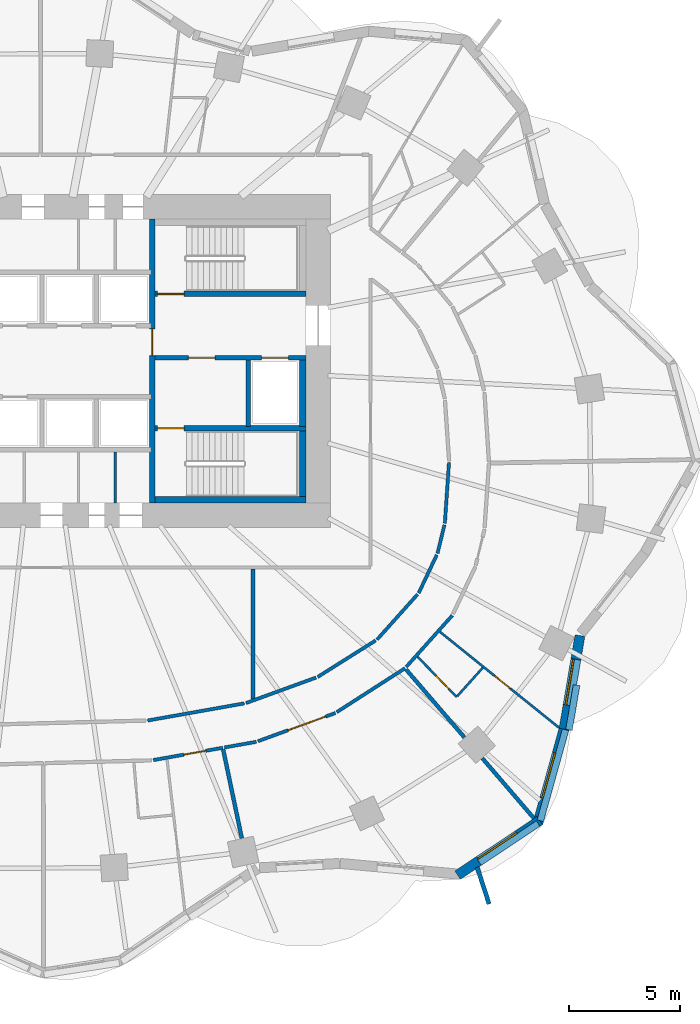
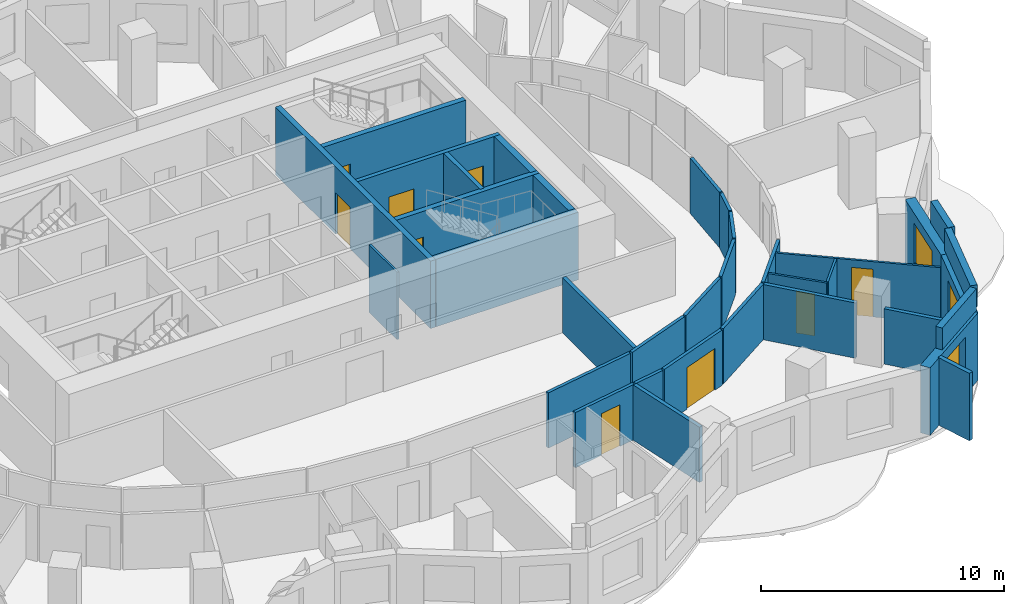
# One storey, part 6 of 11: 35 walls, 9 doors, 3 windows, 12 openings.
"""IFC4 building model written with IfcOpenShell, lengths in metres."""

from ifc_helpers import new_model, si_unit, direction, frame, frame_2d, origin, place, context, subcontext, project, spatial, rectangle, extrude, material, layer, layer_set, type_object, element, fill, save


model = new_model("IFC4")

# Units and contexts
model_context = context("Model", 3, precision=1e-05, world=origin(), true_north=direction((0.0, 1.0)))
body_context = subcontext(model_context, "Body", "Model", "MODEL_VIEW")
ifc_project = project(units=[si_unit("LENGTHUNIT", "METRE"), si_unit("AREAUNIT", "SQUARE_METRE"), si_unit("VOLUMEUNIT", "CUBIC_METRE"), si_unit("PLANEANGLEUNIT", "RADIAN"), si_unit("MASSUNIT", "GRAM", prefix="KILO")], contexts=[model_context])

# Site, building, storey
site_placement = place(None, origin())
site = spatial("IfcSite", under=ifc_project, at=site_placement, CompositionType="ELEMENT")
building_placement = place(site_placement, origin())
building = spatial("IfcBuilding", under=site, at=building_placement, Name="Rubra Terraces Tower", CompositionType="ELEMENT")
storey_placement = place(building_placement, frame((0.0, 0.0, 99.60009765625)))
storey = spatial("IfcBuildingStorey", under=building, at=storey_placement, Name="L23", CompositionType="ELEMENT", Elevation=99.60009765625)

# Walls
ifc_material_1 = material(Name="Twin plasterboard on staggered steel stud, acoustic mineral wool", Category="steel")
ifc_layer_1 = layer(ifc_material_1, 0.175048828125)
ifc_layer_set_1 = layer_set([ifc_layer_1], Name="Twin plasterboard on staggered steel stud, acoustic mineral wool")
wall_type_1 = type_object("IfcWallType", Name="ACOUSTIC PARTY WALL 175", PredefinedType="PARTITIONING", material=ifc_layer_set_1)
wall_1_placement = place(storey_placement, frame((9.00341796875, -17.003662109375, 0.0), z_axis=(0.0, 0.0, 1.0), x_axis=(-0.205490383359, 0.978659134912, 0.0)))
element("IfcWall", 1, at=wall_1_placement, inside=storey, type_object=wall_type_1, Name="PARTITION", PredefinedType="PARTITIONING", context=body_context, shape_type="SweptSolid", body=[
    extrude(rectangle(XDim=4.093017578125, YDim=0.175048828125, at=frame_2d((2.04638671875, 0.0))), origin(), (0.0, 0.0, 1.0), 2.783935546875),
])
wall_2_placement = place(storey_placement, frame((22.167236328125, -16.10400390625, 0.0), z_axis=(0.0, 0.0, 1.0), x_axis=(-0.651585854712, 0.758574896724, 0.0)))
element("IfcWall", 2, at=wall_2_placement, inside=storey, type_object=wall_type_1, Name="PARTITION", PredefinedType="PARTITIONING", context=body_context, shape_type="SweptSolid", body=[
    extrude(rectangle(XDim=3.566650390625, YDim=0.175048828125, at=frame_2d((1.783203125, 0.0))), origin(), (0.0, 0.0, 1.0), 2.783935546875),
])
wall_3_placement = place(storey_placement, frame((19.03515625, -12.457763671875, 0.0), z_axis=(0.0, 0.0, 1.0), x_axis=(-0.651603524635, 0.7585597186, 0.0)))
element("IfcWall", 3, at=wall_3_placement, inside=storey, type_object=wall_type_1, Name="PARTITION", PredefinedType="PARTITIONING", context=body_context, shape_type="SweptSolid", body=[
    extrude(rectangle(XDim=4.033447265625, YDim=0.175048828125, at=frame_2d((2.0166015625, 0.0))), origin(), (0.0, 0.0, 1.0), 2.783935546875),
])
wall_4_placement = place(storey_placement, frame((9.5, -10.723388671875, 0.0), z_axis=(0.0, 0.0, 1.0), x_axis=(0.0, 1.0, 0.0)))
element("IfcWall", 4, at=wall_4_placement, inside=storey, type_object=wall_type_1, Name="PARTITION", PredefinedType="PARTITIONING", context=body_context, shape_type="SweptSolid", body=[
    extrude(rectangle(XDim=5.848388671875, YDim=0.175048828125, at=frame_2d((2.92431640625, 0.0))), origin(), (0.0, 0.0, 1.0), 2.783935546875),
])

# Wall, opening, window
ifc_material_2 = material(Name="Brick masonry red-brown", Category="masonry")
ifc_layer_2 = layer(ifc_material_2, 0.449951171875)
ifc_layer_set_2 = layer_set([ifc_layer_2], Name="Brick masonry red-brown")
wall_type_2 = type_object("IfcWallType", Name="Brick facade wall 450", PredefinedType="SOLIDWALL", material=ifc_layer_set_2)
wall_5_placement = place(storey_placement, frame((18.7255859375, -18.66259765625, 0.0), z_axis=(0.0, 0.0, 1.0), x_axis=(0.83333921474, 0.552761931736, 0.0)))
wall_5 = element("IfcWall", 5, at=wall_5_placement, inside=storey, type_object=wall_type_2, Name="Facade wall L23 bay 36", PredefinedType="SOLIDWALL", context=body_context, shape_type="SweptSolid", body=[
    extrude(rectangle(XDim=4.45068359375, YDim=0.449951171875, at=frame_2d((2.225341796875, 0.0))), origin(), (0.0, 0.0, 1.0), 3.39990234375),
])
opening_1_placement = place(wall_5_placement, frame((1.17529296875, 0.0, 0.89990234375)))
opening_1 = element("IfcOpeningElement", 6, at=opening_1_placement, cuts=wall_5, Name="Opening W1", PredefinedType="OPENING", context=body_context, shape_type="SweptSolid", body=[
    extrude(rectangle(XDim=2.10009765625, YDim=2.0, at=frame_2d((1.050048828125, 1.0))), frame((0.0, 0.23486328125, 0.0), z_axis=(0.0, -1.0, 0.0), x_axis=(1.0, 0.0, 0.0)), (0.0, 0.0, 1.0), 0.469970703125),
])
ifc_material_3 = material(Name="Clear glass in aluminium frame", Category="aluminium")
window_type = type_object("IfcWindowType", Name="Fixed deep-set window 2100 x 2000", PartitioningType="SINGLE_PANEL", PredefinedType="WINDOW", material=ifc_material_3)
window_1_placement = place(opening_1_placement, origin())
window_1 = element("IfcWindow", 7, at=window_1_placement, inside=storey, type_object=window_type, Name="Window L23 bay 36", OverallHeight=2.0, OverallWidth=2.10009765625, PartitioningType="SINGLE_PANEL", PredefinedType="WINDOW", context=body_context, shape_type="SweptSolid", body=[
    extrude(rectangle(XDim=2.10009765625, YDim=2.0, at=frame_2d((1.050048828125, 1.0))), frame((0.0, 0.135009765625, 0.0), z_axis=(0.0, -1.0, 0.0), x_axis=(1.0, 0.0, 0.0)), (0.0, 0.0, 1.0), 0.06005859375),
])
fill(opening_1, window_1)

wall_6_placement = place(storey_placement, frame((22.343505859375, -16.32568359375, 0.0), z_axis=(0.0, 0.0, 1.0), x_axis=(0.267925456304, 0.963439645159, 0.0)))
wall_6 = element("IfcWall", 8, at=wall_6_placement, inside=storey, type_object=wall_type_2, Name="Facade wall L23 bay 37", PredefinedType="SOLIDWALL", context=body_context, shape_type="SweptSolid", body=[
    extrude(rectangle(XDim=4.4267578125, YDim=0.449951171875, at=frame_2d((2.21337890625, 0.0))), origin(), (0.0, 0.0, 1.0), 3.39990234375),
])
opening_2_placement = place(wall_6_placement, frame((1.16357421875, 0.0, 0.89990234375)))
opening_2 = element("IfcOpeningElement", 9, at=opening_2_placement, cuts=wall_6, Name="Opening W1", PredefinedType="OPENING", context=body_context, shape_type="SweptSolid", body=[
    extrude(rectangle(XDim=2.10009765625, YDim=2.0, at=frame_2d((1.050048828125, 1.0))), frame((0.0, 0.23486328125, 0.0), z_axis=(0.0, -1.0, 0.0), x_axis=(1.0, 0.0, 0.0)), (0.0, 0.0, 1.0), 0.469970703125),
])
window_2_placement = place(opening_2_placement, origin())
window_2 = element("IfcWindow", 10, at=window_2_placement, inside=storey, type_object=window_type, Name="Window L23 bay 37", OverallHeight=2.0, OverallWidth=2.10009765625, PartitioningType="SINGLE_PANEL", PredefinedType="WINDOW", context=body_context, shape_type="SweptSolid", body=[
    extrude(rectangle(XDim=2.10009765625, YDim=2.0, at=frame_2d((1.050048828125, 1.0))), frame((0.0, 0.135009765625, 0.0), z_axis=(0.0, -1.0, 0.0), x_axis=(1.0, 0.0, 0.0)), (0.0, 0.0, 1.0), 0.06005859375),
])
fill(opening_2, window_2)

wall_7_placement = place(storey_placement, frame((23.524169921875, -12.0830078125, 0.0), z_axis=(0.0, 0.0, 1.0), x_axis=(0.167445072349, 0.985881406532, 0.0)))
wall_7 = element("IfcWall", 11, at=wall_7_placement, inside=storey, type_object=wall_type_2, Name="Facade wall L23 bay 38", PredefinedType="SOLIDWALL", context=body_context, shape_type="SweptSolid", body=[
    extrude(rectangle(XDim=4.27490234375, YDim=0.449951171875, at=frame_2d((2.137451171875, 0.0))), origin(), (0.0, 0.0, 1.0), 3.39990234375),
])
opening_3_placement = place(wall_7_placement, frame((1.08740234375, 0.0, 0.89990234375)))
opening_3 = element("IfcOpeningElement", 12, at=opening_3_placement, cuts=wall_7, Name="Opening W1", PredefinedType="OPENING", context=body_context, shape_type="SweptSolid", body=[
    extrude(rectangle(XDim=2.10009765625, YDim=2.0, at=frame_2d((1.050048828125, 1.0))), frame((0.0, 0.23486328125, 0.0), z_axis=(0.0, -1.0, 0.0), x_axis=(1.0, 0.0, 0.0)), (0.0, 0.0, 1.0), 0.469970703125),
])
window_3_placement = place(opening_3_placement, origin())
window_3 = element("IfcWindow", 13, at=window_3_placement, inside=storey, type_object=window_type, Name="Window L23 bay 38", OverallHeight=2.0, OverallWidth=2.10009765625, PartitioningType="SINGLE_PANEL", PredefinedType="WINDOW", context=body_context, shape_type="SweptSolid", body=[
    extrude(rectangle(XDim=2.10009765625, YDim=2.0, at=frame_2d((1.050048828125, 1.0))), frame((0.0, 0.135009765625, 0.0), z_axis=(0.0, -1.0, 0.0), x_axis=(1.0, 0.0, 0.0)), (0.0, 0.0, 1.0), 0.06005859375),
])
fill(opening_3, window_3)

# Walls
ifc_layer_3 = layer(ifc_material_2, 0.300048828125)
ifc_layer_set_3 = layer_set([ifc_layer_3], Name="Brick masonry red-brown")
wall_type_3 = type_object("IfcWallType", Name="Brick parapet 300", PredefinedType="PARAPET", material=ifc_layer_set_3)
wall_8_placement = place(storey_placement, frame((19.70751953125, -18.101318359375, 3.599853515625), z_axis=(0.0, 0.0, 1.0), x_axis=(0.833370664286, 0.552714515738, 0.0)))
element("IfcWall", 14, at=wall_8_placement, inside=storey, type_object=wall_type_3, Name="Parapet L23 bay 36", PredefinedType="PARAPET", context=body_context, shape_type="SweptSolid", body=[
    extrude(rectangle(XDim=3.180419921875, YDim=0.300048828125, at=frame_2d((1.59033203125, 0.0))), origin(), (0.0, 0.0, 1.0), 1.10009765625),
])
wall_9_placement = place(storey_placement, frame((22.452392578125, -16.213134765625, 3.599853515625), z_axis=(0.0, 0.0, 1.0), x_axis=(0.267993020858, 0.963420853403, 0.0)))
element("IfcWall", 15, at=wall_9_placement, inside=storey, type_object=wall_type_3, Name="Parapet L23 bay 37", PredefinedType="PARAPET", context=body_context, shape_type="SweptSolid", body=[
    extrude(rectangle(XDim=4.25537109375, YDim=0.300048828125, at=frame_2d((2.127685546875, 0.0))), origin(), (0.0, 0.0, 1.0), 1.10009765625),
])
wall_10_placement = place(storey_placement, frame((23.7451171875, -12.125, 3.599853515625), z_axis=(0.0, 0.0, 1.0), x_axis=(0.16743218322, 0.985883595574, 0.0)))
element("IfcWall", 16, at=wall_10_placement, inside=storey, type_object=wall_type_3, Name="Parapet L23 bay 38", PredefinedType="PARAPET", context=body_context, shape_type="SweptSolid", body=[
    extrude(rectangle(XDim=2.048583984375, YDim=0.300048828125, at=frame_2d((1.0244140625, 0.0))), origin(), (0.0, 0.0, 1.0), 1.10009765625),
])
ifc_layer_4 = layer(ifc_material_2, 0.199951171875)
ifc_layer_set_4 = layer_set([ifc_layer_4], Name="Brick masonry red-brown")
wall_type_4 = type_object("IfcWallType", Name="Brick wind fin 200", PredefinedType="SOLIDWALL", material=ifc_layer_set_4)
wall_11_placement = place(storey_placement, frame((19.60888671875, -18.304931640625, 0.0), z_axis=(0.0, 0.0, 1.0), x_axis=(0.308600224758, -0.951191832008, 0.0)))
element("IfcWall", 17, at=wall_11_placement, inside=storey, type_object=wall_type_4, Name="Wind fin L23 22", PredefinedType="SOLIDWALL", context=body_context, shape_type="SweptSolid", body=[
    extrude(rectangle(XDim=1.75, YDim=0.199951171875, at=frame_2d((0.875, 0.0))), origin(), (0.0, 0.0, 1.0), 3.39990234375),
])

# Wall, opening, door
ifc_material_4 = material(Name="Plasterboard on steel stud, mineral wool infill", Category="steel")
ifc_layer_5 = layer(ifc_material_4, 0.14990234375)
ifc_layer_set_5 = layer_set([ifc_layer_5], Name="Plasterboard on steel stud, mineral wool infill")
wall_type_5 = type_object("IfcWallType", Name="CORRIDOR PARTITION 150", PredefinedType="PARTITIONING", material=ifc_layer_set_5)
wall_12_placement = place(storey_placement, frame((5.0146484375, -13.480224609375, 0.0), z_axis=(0.0, 0.0, 1.0), x_axis=(0.984640294338, 0.174595219768, 0.0)))
wall_12 = element("IfcWall", 18, at=wall_12_placement, inside=storey, type_object=wall_type_5, Name="PARTITION", PredefinedType="PARTITIONING", context=body_context, shape_type="SweptSolid", body=[
    extrude(rectangle(XDim=3.18115234375, YDim=0.14990234375, at=frame_2d((1.590576171875, 0.0))), origin(), (0.0, 0.0, 1.0), 2.783935546875),
])
opening_4_placement = place(wall_12_placement, frame((1.39990234375, 0.0, 0.0)))
opening_4 = element("IfcOpeningElement", 19, at=opening_4_placement, cuts=wall_12, Name="Opening 23-115", PredefinedType="OPENING", context=body_context, shape_type="SweptSolid", body=[
    extrude(rectangle(XDim=1.0, YDim=2.10009765625, at=frame_2d((0.5, 1.050048828125))), frame((0.0, 0.0849609375, 0.0), z_axis=(0.0, -1.0, 0.0), x_axis=(1.0, 0.0, 0.0)), (0.0, 0.0, 1.0), 0.169921875),
])
ifc_material_5 = material(Name="Painted timber door leaf", Category="wood")
door_type_1 = type_object("IfcDoorType", Name="ROOM DOOR 1000 X 2100", OperationType="SINGLE_SWING_LEFT", PredefinedType="DOOR", material=ifc_material_5)
door_1_placement = place(opening_4_placement, origin())
door_1 = element("IfcDoor", 20, at=door_1_placement, inside=storey, type_object=door_type_1, Name="DOOR 23-115", OperationType="SINGLE_SWING_RIGHT", OverallHeight=2.10009765625, OverallWidth=1.0, PredefinedType="DOOR", context=body_context, shape_type="SweptSolid", body=[
    extrude(rectangle(XDim=1.0, YDim=2.10009765625, at=frame_2d((0.5, 1.050048828125))), frame((0.0, 0.02490234375, 0.0), z_axis=(0.0, -1.0, 0.0), x_axis=(1.0, 0.0, 0.0)), (0.0, 0.0, 1.0), 0.050048828125),
])
fill(opening_4, door_1)

# Wall
wall_13_placement = place(storey_placement, frame((8.220703125, -12.91162109375, 0.0), z_axis=(0.0, 0.0, 1.0), x_axis=(0.984645082055, 0.174568216995, 0.0)))
element("IfcWall", 21, at=wall_13_placement, inside=storey, type_object=wall_type_5, Name="PARTITION", PredefinedType="PARTITIONING", context=body_context, shape_type="SweptSolid", body=[
    extrude(rectangle(XDim=1.458740234375, YDim=0.14990234375, at=frame_2d((0.7294921875, 0.0))), origin(), (0.0, 0.0, 1.0), 2.783935546875),
])

# Wall, opening, door
wall_14_placement = place(storey_placement, frame((9.7275390625, -12.631103515625, 0.0), z_axis=(0.0, 0.0, 1.0), x_axis=(0.939626438181, 0.342201923826, 0.0)))
wall_14 = element("IfcWall", 22, at=wall_14_placement, inside=storey, type_object=wall_type_5, Name="PARTITION", PredefinedType="PARTITIONING", context=body_context, shape_type="SweptSolid", body=[
    extrude(rectangle(XDim=3.71630859375, YDim=0.14990234375, at=frame_2d((1.858154296875, 0.0))), origin(), (0.0, 0.0, 1.0), 2.783935546875),
])
opening_5_placement = place(wall_14_placement, frame((1.449951171875, 0.0, 0.0)))
opening_5 = element("IfcOpeningElement", 23, at=opening_5_placement, cuts=wall_14, Name="Opening 23-116", PredefinedType="OPENING", context=body_context, shape_type="SweptSolid", body=[
    extrude(rectangle(XDim=1.800048828125, YDim=2.10009765625, at=frame_2d((0.89990234375, 1.050048828125))), frame((0.0, 0.0849609375, 0.0), z_axis=(0.0, -1.0, 0.0), x_axis=(1.0, 0.0, 0.0)), (0.0, 0.0, 1.0), 0.169921875),
])
ifc_material_6 = material(Name="Painted timber door leaf, double", Category="wood")
door_type_2 = type_object("IfcDoorType", Name="ROOM DOUBLE DOOR 1800 X 2100", OperationType="DOUBLE_DOOR_SINGLE_SWING", PredefinedType="DOOR", material=ifc_material_6)
door_2_placement = place(opening_5_placement, origin())
door_2 = element("IfcDoor", 24, at=door_2_placement, inside=storey, type_object=door_type_2, Name="DOOR 23-116", OperationType="DOUBLE_DOOR_SINGLE_SWING", OverallHeight=2.10009765625, OverallWidth=1.800048828125, PredefinedType="DOOR", context=body_context, shape_type="SweptSolid", body=[
    extrude(rectangle(XDim=1.800048828125, YDim=2.10009765625, at=frame_2d((0.89990234375, 1.050048828125))), frame((0.0, 0.02490234375, 0.0), z_axis=(0.0, -1.0, 0.0), x_axis=(1.0, 0.0, 0.0)), (0.0, 0.0, 1.0), 0.050048828125),
])
fill(opening_5, door_2)

# Walls
wall_15_placement = place(storey_placement, frame((13.28271484375, -11.318603515625, 0.0), z_axis=(0.0, 0.0, 1.0), x_axis=(0.841150270113, 0.540801463653, 0.0)))
element("IfcWall", 25, at=wall_15_placement, inside=storey, type_object=wall_type_5, Name="PARTITION", PredefinedType="PARTITIONING", context=body_context, shape_type="SweptSolid", body=[
    extrude(rectangle(XDim=3.65625, YDim=0.14990234375, at=frame_2d((1.828125, 0.0))), origin(), (0.0, 0.0, 1.0), 2.783935546875),
])
wall_16_placement = place(storey_placement, frame((16.408203125, -9.285400390625, 0.0), z_axis=(0.0, 0.0, 1.0), x_axis=(0.666792573149, 0.745243359174, 0.0)))
element("IfcWall", 26, at=wall_16_placement, inside=storey, type_object=wall_type_5, Name="PARTITION", PredefinedType="PARTITIONING", context=body_context, shape_type="SweptSolid", body=[
    extrude(rectangle(XDim=3.121337890625, YDim=0.14990234375, at=frame_2d((1.560546875, 0.0))), origin(), (0.0, 0.0, 1.0), 2.783935546875),
])
wall_17_placement = place(storey_placement, frame((18.339599609375, -0.07470703125, 0.0), z_axis=(0.0, 0.0, 1.0), x_axis=(-0.068328193832, -0.997662897941, 0.0)))
element("IfcWall", 27, at=wall_17_placement, inside=storey, type_object=wall_type_5, Name="PARTITION", PredefinedType="PARTITIONING", context=body_context, shape_type="SweptSolid", body=[
    extrude(rectangle(XDim=2.740478515625, YDim=0.14990234375, at=frame_2d((1.3701171875, 0.0))), origin(), (0.0, 0.0, 1.0), 2.783935546875),
])
wall_18_placement = place(storey_placement, frame((18.134521484375, -2.8818359375, 0.0), z_axis=(0.0, 0.0, 1.0), x_axis=(-0.236653741324, -0.971594054489, 0.0)))
element("IfcWall", 28, at=wall_18_placement, inside=storey, type_object=wall_type_5, Name="PARTITION", PredefinedType="PARTITIONING", context=body_context, shape_type="SweptSolid", body=[
    extrude(rectangle(XDim=1.319580078125, YDim=0.14990234375, at=frame_2d((0.65966796875, 0.0))), origin(), (0.0, 0.0, 1.0), 2.783935546875),
])
wall_19_placement = place(storey_placement, frame((17.7900390625, -4.2314453125, 0.0), z_axis=(0.0, 0.0, 1.0), x_axis=(-0.428042272357, -0.90375871397, 0.0)))
element("IfcWall", 29, at=wall_19_placement, inside=storey, type_object=wall_type_5, Name="PARTITION", PredefinedType="PARTITIONING", context=body_context, shape_type="SweptSolid", body=[
    extrude(rectangle(XDim=1.905029296875, YDim=0.14990234375, at=frame_2d((0.95263671875, 0.0))), origin(), (0.0, 0.0, 1.0), 2.783935546875),
])
wall_20_placement = place(storey_placement, frame((16.924560546875, -6.009033203125, 0.0), z_axis=(0.0, 0.0, 1.0), x_axis=(-0.666893859891, -0.745152722359, 0.0)))
element("IfcWall", 30, at=wall_20_placement, inside=storey, type_object=wall_type_5, Name="PARTITION", PredefinedType="PARTITIONING", context=body_context, shape_type="SweptSolid", body=[
    extrude(rectangle(XDim=2.739013671875, YDim=0.14990234375, at=frame_2d((1.36962890625, 0.0))), origin(), (0.0, 0.0, 1.0), 2.783935546875),
])
wall_21_placement = place(storey_placement, frame((15.034423828125, -8.090087890625, 0.0), z_axis=(0.0, 0.0, 1.0), x_axis=(-0.846322679414, -0.532670557014, 0.0)))
element("IfcWall", 31, at=wall_21_placement, inside=storey, type_object=wall_type_5, Name="PARTITION", PredefinedType="PARTITIONING", context=body_context, shape_type="SweptSolid", body=[
    extrude(rectangle(XDim=3.08544921875, YDim=0.14990234375, at=frame_2d((1.542724609375, 0.0))), origin(), (0.0, 0.0, 1.0), 2.783935546875),
])
wall_22_placement = place(storey_placement, frame((12.3525390625, -9.759521484375, 0.0), z_axis=(0.0, 0.0, 1.0), x_axis=(-0.939632450309, -0.342185415127, 0.0)))
element("IfcWall", 32, at=wall_22_placement, inside=storey, type_object=wall_type_5, Name="PARTITION", PredefinedType="PARTITIONING", context=body_context, shape_type="SweptSolid", body=[
    extrude(rectangle(XDim=3.36767578125, YDim=0.14990234375, at=frame_2d((1.683837890625, 0.0))), origin(), (0.0, 0.0, 1.0), 2.783935546875),
])
wall_23_placement = place(storey_placement, frame((9.114501953125, -10.925048828125, 0.0), z_axis=(0.0, 0.0, 1.0), x_axis=(-0.984632605417, -0.174638576352, 0.0)))
element("IfcWall", 33, at=wall_23_placement, inside=storey, type_object=wall_type_5, Name="PARTITION", PredefinedType="PARTITIONING", context=body_context, shape_type="SweptSolid", body=[
    extrude(rectangle(XDim=4.423095703125, YDim=0.14990234375, at=frame_2d((2.21142578125, 0.0))), origin(), (0.0, 0.0, 1.0), 2.783935546875),
])
ifc_material_7 = material(Name="Concrete C40", Category="concrete")
ifc_layer_6 = layer(ifc_material_7, 0.300048828125)
ifc_layer_set_6 = layer_set([ifc_layer_6], Name="Concrete C40")
wall_type_6 = type_object("IfcWallType", Name="Core lining wall 300 concrete", PredefinedType="SOLIDWALL", material=ifc_layer_set_6)
wall_24_placement = place(storey_placement, frame((11.75, 4.550048828125, 0.0), z_axis=(0.0, 0.0, 1.0), x_axis=(0.0, -1.0, 0.0)))
element("IfcWall", 34, at=wall_24_placement, inside=storey, type_object=wall_type_6, Name="CORE LINING WALL L23", PredefinedType="SOLIDWALL", context=body_context, shape_type="SweptSolid", body=[
    extrude(rectangle(XDim=3.0, YDim=0.300048828125, at=frame_2d((1.5, 0.0))), origin(), (0.0, 0.0, 1.0), 3.39990234375),
])
wall_25_placement = place(storey_placement, frame((11.75, 1.35009765625, 0.0), z_axis=(0.0, 0.0, 1.0), x_axis=(0.0, -1.0, 0.0)))
element("IfcWall", 35, at=wall_25_placement, inside=storey, type_object=wall_type_6, Name="CORE LINING WALL L23", PredefinedType="SOLIDWALL", context=body_context, shape_type="SweptSolid", body=[
    extrude(rectangle(XDim=2.9501953125, YDim=0.300048828125, at=frame_2d((1.47509765625, 0.0))), origin(), (0.0, 0.0, 1.0), 3.39990234375),
])
wall_26_placement = place(storey_placement, frame((11.89990234375, -1.75, 0.0), z_axis=(0.0, 0.0, 1.0), x_axis=(-1.0, 0.0, 0.0)))
element("IfcWall", 36, at=wall_26_placement, inside=storey, type_object=wall_type_6, Name="CORE LINING WALL L23", PredefinedType="SOLIDWALL", context=body_context, shape_type="SweptSolid", body=[
    extrude(rectangle(XDim=6.7998046875, YDim=0.300048828125, at=frame_2d((3.39990234375, 0.0))), origin(), (0.0, 0.0, 1.0), 3.39990234375),
])

# Wall, openings, doors
ifc_material_8 = material(Name="Concrete C30", Category="concrete")
ifc_layer_7 = layer(ifc_material_8, 0.199951171875)
ifc_layer_set_7 = layer_set([ifc_layer_7], Name="Concrete C30")
wall_type_7 = type_object("IfcWallType", Name="Core wall 200 concrete", PredefinedType="SOLIDWALL", material=ifc_layer_set_7)
wall_27_placement = place(storey_placement, frame((11.89990234375, 4.64990234375, 0.0), z_axis=(0.0, 0.0, 1.0), x_axis=(-1.0, 0.0, 0.0)))
wall_27 = element("IfcWall", 37, at=wall_27_placement, inside=storey, type_object=wall_type_7, Name="STAIR WALL L23", PredefinedType="SOLIDWALL", context=body_context, shape_type="SweptSolid", body=[
    extrude(rectangle(XDim=6.7998046875, YDim=0.199951171875, at=frame_2d((3.39990234375, 0.0))), origin(), (0.0, 0.0, 1.0), 3.39990234375),
])
opening_6_placement = place(wall_27_placement, frame((4.10009765625, 0.0, 0.0)))
opening_6 = element("IfcOpeningElement", 38, at=opening_6_placement, cuts=wall_27, Name="Opening L23.C06", PredefinedType="OPENING", context=body_context, shape_type="SweptSolid", body=[
    extrude(rectangle(XDim=1.199951171875, YDim=2.10009765625, at=frame_2d((0.60009765625, 1.050048828125))), frame((0.0, 0.10986328125, 0.0), z_axis=(0.0, -1.0, 0.0), x_axis=(1.0, 0.0, 0.0)), (0.0, 0.0, 1.0), 0.219970703125),
])
opening_7_placement = place(wall_27_placement, frame((0.800048828125, 0.0, 0.0)))
opening_7 = element("IfcOpeningElement", 39, at=opening_7_placement, cuts=wall_27, Name="Opening L23.C12", PredefinedType="OPENING", context=body_context, shape_type="SweptSolid", body=[
    extrude(rectangle(XDim=1.199951171875, YDim=2.10009765625, at=frame_2d((0.60009765625, 1.050048828125))), frame((0.0, 0.10986328125, 0.0), z_axis=(0.0, -1.0, 0.0), x_axis=(1.0, 0.0, 0.0)), (0.0, 0.0, 1.0), 0.219970703125),
])
ifc_material_9 = material(Name="Painted steel", Category="steel")
door_type_3 = type_object("IfcDoorType", Name="Fire door 1200x2100 single", OperationType="NOTDEFINED", PredefinedType="DOOR", material=ifc_material_9)
door_3_placement = place(opening_6_placement, origin())
door_3 = element("IfcDoor", 40, at=door_3_placement, inside=storey, type_object=door_type_3, Name="Stair vestibule door S4", OperationType="SINGLE_SWING_RIGHT", OverallHeight=2.10009765625, OverallWidth=1.199951171875, PredefinedType="DOOR", context=body_context, shape_type="SweptSolid", body=[
    extrude(rectangle(XDim=1.199951171875, YDim=2.10009765625, at=frame_2d((0.60009765625, 1.050048828125))), frame((0.0, 0.02490234375, 0.0), z_axis=(0.0, -1.0, 0.0), x_axis=(1.0, 0.0, 0.0)), (0.0, 0.0, 1.0), 0.050048828125),
])
fill(opening_6, door_3)
ifc_material_10 = material(Name="Stainless steel", Category="steel")
door_type_4 = type_object("IfcDoorType", Name="Lift landing door 1200x2100", OperationType="NOTDEFINED", PredefinedType="DOOR", material=ifc_material_10)
door_4_placement = place(opening_7_placement, origin())
door_4 = element("IfcDoor", 41, at=door_4_placement, inside=storey, type_object=door_type_4, Name="Landing door FF2", OperationType="SLIDING_TO_RIGHT", OverallHeight=2.10009765625, OverallWidth=1.199951171875, PredefinedType="DOOR", context=body_context, shape_type="SweptSolid", body=[
    extrude(rectangle(XDim=1.199951171875, YDim=2.10009765625, at=frame_2d((0.60009765625, 1.050048828125))), frame((0.0, 0.02490234375, 0.0), z_axis=(0.0, -1.0, 0.0), x_axis=(1.0, 0.0, 0.0)), (0.0, 0.0, 1.0), 0.050048828125),
])
fill(opening_7, door_4)

# Wall
wall_28_placement = place(storey_placement, frame((9.300048828125, 4.550048828125, 0.0), z_axis=(0.0, 0.0, 1.0), x_axis=(0.0, -1.0, 0.0)))
element("IfcWall", 42, at=wall_28_placement, inside=storey, type_object=wall_type_7, Name="STAIR WALL L23", PredefinedType="SOLIDWALL", context=body_context, shape_type="SweptSolid", body=[
    extrude(rectangle(XDim=3.0, YDim=0.199951171875, at=frame_2d((1.5, 0.0))), origin(), (0.0, 0.0, 1.0), 3.39990234375),
])

# Wall, opening, door
ifc_material_11 = material(Name="Plasterboard on steel stud", Category="steel")
ifc_layer_8 = layer(ifc_material_11, 0.10009765625)
ifc_layer_set_8 = layer_set([ifc_layer_8], Name="Plasterboard on steel stud")
wall_type_8 = type_object("IfcWallType", Name="ROOM PARTITION 100", PredefinedType="PARTITIONING", material=ifc_layer_set_8)
wall_29_placement = place(storey_placement, frame((23.302001953125, -12.0234375, 0.0), z_axis=(0.0, 0.0, 1.0), x_axis=(-0.779049211338, 0.626962779049, 0.0)))
wall_29 = element("IfcWall", 43, at=wall_29_placement, inside=storey, type_object=wall_type_8, Name="PARTITION", PredefinedType="PARTITIONING", context=body_context, shape_type="SweptSolid", body=[
    extrude(rectangle(XDim=6.89794921875, YDim=0.10009765625, at=frame_2d((3.448974609375, 0.0))), origin(), (0.0, 0.0, 1.0), 2.783935546875),
])
opening_8_placement = place(wall_29_placement, frame((2.822998046875, 0.0, 0.0)))
opening_8 = element("IfcOpeningElement", 44, at=opening_8_placement, cuts=wall_29, Name="Opening 23-118", PredefinedType="OPENING", context=body_context, shape_type="SweptSolid", body=[
    extrude(rectangle(XDim=0.89990234375, YDim=2.39990234375, at=frame_2d((0.449951171875, 1.199951171875))), frame((0.0, 0.06005859375, 0.0), z_axis=(0.0, -1.0, 0.0), x_axis=(1.0, 0.0, 0.0)), (0.0, 0.0, 1.0), 0.1201171875),
])
ifc_material_12 = material(Name="Veneered timber door leaf, fire-rated", Category="wood")
door_type_5 = type_object("IfcDoorType", Name="SUITE ENTRANCE DOOR 900 X 2400", OperationType="SINGLE_SWING_LEFT", PredefinedType="DOOR", material=ifc_material_12)
door_5_placement = place(opening_8_placement, origin())
door_5 = element("IfcDoor", 45, at=door_5_placement, inside=storey, type_object=door_type_5, Name="DOOR 23-118", OperationType="SINGLE_SWING_LEFT", OverallHeight=2.39990234375, OverallWidth=0.89990234375, PredefinedType="DOOR", context=body_context, shape_type="SweptSolid", body=[
    extrude(rectangle(XDim=0.89990234375, YDim=2.39990234375, at=frame_2d((0.449951171875, 1.199951171875))), frame((0.0, 0.02490234375, 0.0), z_axis=(0.0, -1.0, 0.0), x_axis=(1.0, 0.0, 0.0)), (0.0, 0.0, 1.0), 0.050048828125),
])
fill(opening_8, door_5)

wall_30_placement = place(storey_placement, frame((16.921875, -8.823486328125, 0.0), z_axis=(0.0, 0.0, 1.0), x_axis=(0.697371069569, -0.71671025619, 0.0)))
wall_30 = element("IfcWall", 46, at=wall_30_placement, inside=storey, type_object=wall_type_8, Name="PARTITION", PredefinedType="PARTITIONING", context=body_context, shape_type="SweptSolid", body=[
    extrude(rectangle(XDim=2.52490234375, YDim=0.10009765625, at=frame_2d((1.262451171875, 0.0))), origin(), (0.0, 0.0, 1.0), 2.783935546875),
])
opening_9_placement = place(wall_30_placement, frame((1.199951171875, 0.0, 0.0)))
opening_9 = element("IfcOpeningElement", 47, at=opening_9_placement, cuts=wall_30, Name="Opening 23-117", PredefinedType="OPENING", context=body_context, shape_type="SweptSolid", body=[
    extrude(rectangle(XDim=0.800048828125, YDim=2.10009765625, at=frame_2d((0.39990234375, 1.050048828125))), frame((0.0, 0.06005859375, 0.0), z_axis=(0.0, -1.0, 0.0), x_axis=(1.0, 0.0, 0.0)), (0.0, 0.0, 1.0), 0.1201171875),
])
door_type_6 = type_object("IfcDoorType", Name="BATHROOM DOOR 800 X 2100", OperationType="SINGLE_SWING_LEFT", PredefinedType="DOOR", material=ifc_material_5)
door_6_placement = place(opening_9_placement, origin())
door_6 = element("IfcDoor", 48, at=door_6_placement, inside=storey, type_object=door_type_6, Name="DOOR 23-117", OperationType="SINGLE_SWING_LEFT", OverallHeight=2.10009765625, OverallWidth=0.800048828125, PredefinedType="DOOR", context=body_context, shape_type="SweptSolid", body=[
    extrude(rectangle(XDim=0.800048828125, YDim=2.10009765625, at=frame_2d((0.39990234375, 1.050048828125))), frame((0.0, 0.02490234375, 0.0), z_axis=(0.0, -1.0, 0.0), x_axis=(1.0, 0.0, 0.0)), (0.0, 0.0, 1.0), 0.050048828125),
])
fill(opening_9, door_6)

# Walls
wall_31_placement = place(storey_placement, frame((18.716064453125, -10.595947265625, 0.0), z_axis=(0.0, 0.0, 1.0), x_axis=(0.667863253754, 0.744284001094, 0.0)))
element("IfcWall", 49, at=wall_31_placement, inside=storey, type_object=wall_type_8, Name="PARTITION", PredefinedType="PARTITIONING", context=body_context, shape_type="SweptSolid", body=[
    extrude(rectangle(XDim=1.715576171875, YDim=0.10009765625, at=frame_2d((0.85791015625, 0.0))), origin(), (0.0, 0.0, 1.0), 2.783935546875),
])
ifc_material_13 = material(Name="Blockwork", Category="masonry")
ifc_layer_9 = layer(ifc_material_13, 0.10009765625)
ifc_layer_set_9 = layer_set([ifc_layer_9], Name="Blockwork")
wall_type_9 = type_object("IfcWallType", Name="Service partition 100 blockwork", PredefinedType="PARTITIONING", material=ifc_layer_set_9)
wall_32_placement = place(storey_placement, frame((3.300048828125, -1.89990234375, 0.0), z_axis=(0.0, 0.0, 1.0), x_axis=(0.0, 1.0, 0.0)))
element("IfcWall", 50, at=wall_32_placement, inside=storey, type_object=wall_type_9, Name="SERVICE ROOM PARTITION L23", PredefinedType="PARTITIONING", context=body_context, shape_type="SweptSolid", body=[
    extrude(rectangle(XDim=2.2998046875, YDim=0.10009765625, at=frame_2d((1.14990234375, 0.0))), origin(), (0.0, 0.0, 1.0), 3.39990234375),
])

# Wall, opening, door
ifc_layer_10 = layer(ifc_material_7, 0.25)
ifc_layer_set_10 = layer_set([ifc_layer_10], Name="Concrete C40")
wall_type_10 = type_object("IfcWallType", Name="Stair enclosure wall 250 concrete", PredefinedType="SOLIDWALL", material=ifc_layer_set_10)
wall_33_placement = place(storey_placement, frame((11.89990234375, 7.52490234375, 0.0), z_axis=(0.0, 0.0, 1.0), x_axis=(-1.0, 0.0, 0.0)))
wall_33 = element("IfcWall", 51, at=wall_33_placement, inside=storey, type_object=wall_type_10, Name="STAIR WALL L23", PredefinedType="SOLIDWALL", context=body_context, shape_type="SweptSolid", body=[
    extrude(rectangle(XDim=6.7998046875, YDim=0.25, at=frame_2d((3.39990234375, 0.0))), origin(), (0.0, 0.0, 1.0), 3.39990234375),
])
opening_10_placement = place(wall_33_placement, frame((5.5, 0.0, 0.0)))
opening_10 = element("IfcOpeningElement", 52, at=opening_10_placement, cuts=wall_33, Name="Opening L23.C08", PredefinedType="OPENING", context=body_context, shape_type="SweptSolid", body=[
    extrude(rectangle(XDim=1.199951171875, YDim=2.10009765625, at=frame_2d((0.60009765625, 1.050048828125))), frame((0.0, 0.135009765625, 0.0), z_axis=(0.0, -1.0, 0.0), x_axis=(1.0, 0.0, 0.0)), (0.0, 0.0, 1.0), 0.27001953125),
])
door_7_placement = place(opening_10_placement, origin())
door_7 = element("IfcDoor", 53, at=door_7_placement, inside=storey, type_object=door_type_3, Name="Stair door S3", OperationType="SINGLE_SWING_RIGHT", OverallHeight=2.10009765625, OverallWidth=1.199951171875, PredefinedType="DOOR", context=body_context, shape_type="SweptSolid", body=[
    extrude(rectangle(XDim=1.199951171875, YDim=2.10009765625, at=frame_2d((0.60009765625, 1.050048828125))), frame((0.0, 0.02490234375, 0.0), z_axis=(0.0, -1.0, 0.0), x_axis=(1.0, 0.0, 0.0)), (0.0, 0.0, 1.0), 0.050048828125),
])
fill(opening_10, door_7)

wall_34_placement = place(storey_placement, frame((11.89990234375, 1.47509765625, 0.0), z_axis=(0.0, 0.0, 1.0), x_axis=(-1.0, 0.0, 0.0)))
wall_34 = element("IfcWall", 54, at=wall_34_placement, inside=storey, type_object=wall_type_10, Name="STAIR WALL L23", PredefinedType="SOLIDWALL", context=body_context, shape_type="SweptSolid", body=[
    extrude(rectangle(XDim=6.7998046875, YDim=0.25, at=frame_2d((3.39990234375, 0.0))), origin(), (0.0, 0.0, 1.0), 3.39990234375),
])
opening_11_placement = place(wall_34_placement, frame((5.5, 0.0, 0.0)))
opening_11 = element("IfcOpeningElement", 55, at=opening_11_placement, cuts=wall_34, Name="Opening L23.C10", PredefinedType="OPENING", context=body_context, shape_type="SweptSolid", body=[
    extrude(rectangle(XDim=1.199951171875, YDim=2.10009765625, at=frame_2d((0.60009765625, 1.050048828125))), frame((0.0, 0.135009765625, 0.0), z_axis=(0.0, -1.0, 0.0), x_axis=(1.0, 0.0, 0.0)), (0.0, 0.0, 1.0), 0.27001953125),
])
door_8_placement = place(opening_11_placement, origin())
door_8 = element("IfcDoor", 56, at=door_8_placement, inside=storey, type_object=door_type_3, Name="Stair door S4", OperationType="SINGLE_SWING_RIGHT", OverallHeight=2.10009765625, OverallWidth=1.199951171875, PredefinedType="DOOR", context=body_context, shape_type="SweptSolid", body=[
    extrude(rectangle(XDim=1.199951171875, YDim=2.10009765625, at=frame_2d((0.60009765625, 1.050048828125))), frame((0.0, 0.02490234375, 0.0), z_axis=(0.0, -1.0, 0.0), x_axis=(1.0, 0.0, 0.0)), (0.0, 0.0, 1.0), 0.050048828125),
])
fill(opening_11, door_8)

wall_35_placement = place(storey_placement, frame((4.97509765625, 10.89990234375, 0.0), z_axis=(0.0, 0.0, 1.0), x_axis=(0.0, -1.0, 0.0)))
wall_35 = element("IfcWall", 57, at=wall_35_placement, inside=storey, type_object=wall_type_10, Name="CORE LOBBY WALL L23", PredefinedType="SOLIDWALL", context=body_context, shape_type="SweptSolid", body=[
    extrude(rectangle(XDim=12.7998046875, YDim=0.25, at=frame_2d((6.39990234375, 0.0))), origin(), (0.0, 0.0, 1.0), 3.39990234375),
])
opening_12_placement = place(wall_35_placement, frame((4.949951171875, 0.0, 0.0)))
opening_12 = element("IfcOpeningElement", 58, at=opening_12_placement, cuts=wall_35, Name="Opening L23.C04", PredefinedType="OPENING", context=body_context, shape_type="SweptSolid", body=[
    extrude(rectangle(XDim=1.199951171875, YDim=2.10009765625, at=frame_2d((0.60009765625, 1.050048828125))), frame((0.0, 0.135009765625, 0.0), z_axis=(0.0, -1.0, 0.0), x_axis=(1.0, 0.0, 0.0)), (0.0, 0.0, 1.0), 0.27001953125),
])
door_9_placement = place(opening_12_placement, origin())
door_9 = element("IfcDoor", 59, at=door_9_placement, inside=storey, type_object=door_type_3, Name="Firefighting lobby door FF2", OperationType="SINGLE_SWING_RIGHT", OverallHeight=2.10009765625, OverallWidth=1.199951171875, PredefinedType="DOOR", context=body_context, shape_type="SweptSolid", body=[
    extrude(rectangle(XDim=1.199951171875, YDim=2.10009765625, at=frame_2d((0.60009765625, 1.050048828125))), frame((0.0, 0.02490234375, 0.0), z_axis=(0.0, -1.0, 0.0), x_axis=(1.0, 0.0, 0.0)), (0.0, 0.0, 1.0), 0.050048828125),
])
fill(opening_12, door_9)

save(model, "model.ifc")
